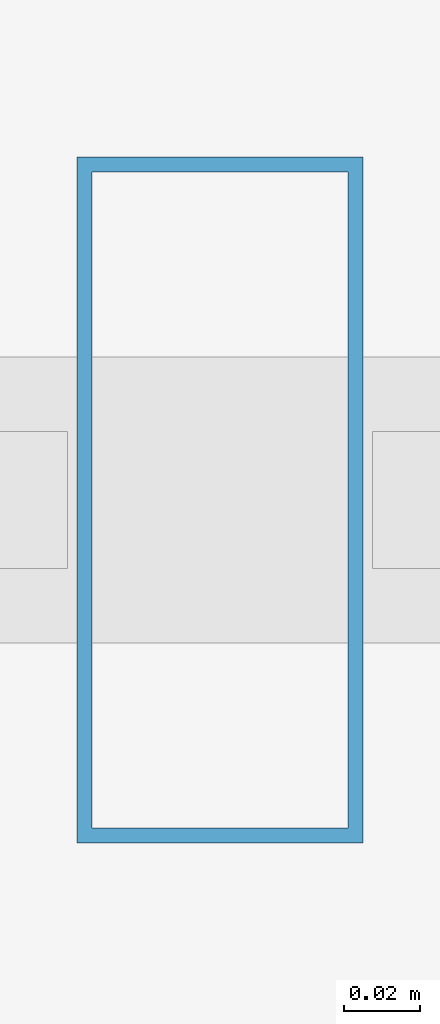
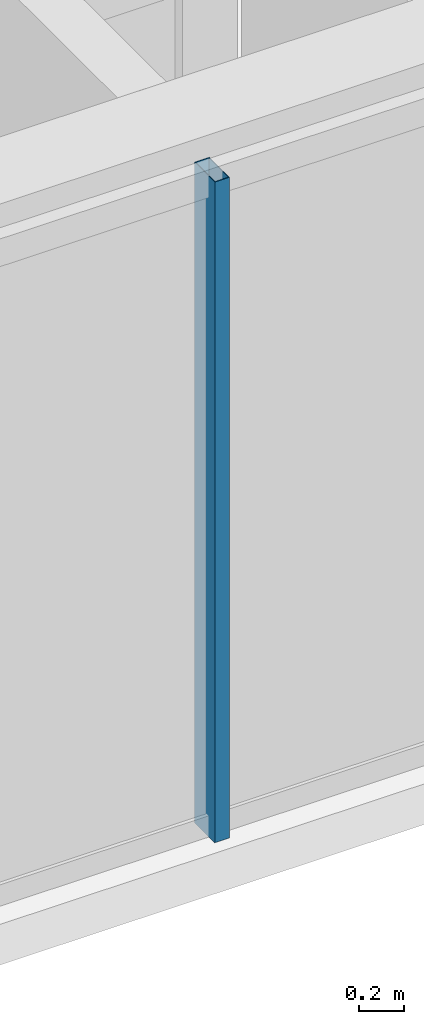
# One storey, part 3 of 32: 1 member, 1 element without a shape of its own.
"""IFC4 building model written with IfcOpenShell, lengths in metres."""

from ifc_helpers import new_model, si_unit, direction, frame, origin, origin_2d, place, context, subcontext, project, spatial, hollow_rectangle, extrude, material, layer, layer_set, material_profile, profile_set, type_object, element, aggregate, save


model = new_model("IFC4")

# Units and contexts
model_context = context("Model", 3, precision=1e-05, world=origin(), true_north=direction((0.0, 1.0)))
body_context = subcontext(model_context, "Body", "Model", "MODEL_VIEW")
ifc_project = project(units=[si_unit("LENGTHUNIT", "METRE"), si_unit("AREAUNIT", "SQUARE_METRE"), si_unit("VOLUMEUNIT", "CUBIC_METRE"), si_unit("PLANEANGLEUNIT", "RADIAN"), si_unit("MASSUNIT", "GRAM", prefix="KILO")], contexts=[model_context])

# Site, building, storey
site_placement = place(None, origin())
site = spatial("IfcSite", under=ifc_project, at=site_placement, CompositionType="ELEMENT")
building_placement = place(site_placement, origin())
building = spatial("IfcBuilding", under=site, at=building_placement, Name="Ndaravel Arena Tower", CompositionType="ELEMENT")
storey_placement = place(building_placement, frame((0.0, 0.0, 74.0)))
storey = spatial("IfcBuildingStorey", under=building, at=storey_placement, Name="L16", CompositionType="ELEMENT", Elevation=74.0)

# Curtain wall, member
ifc_material_1 = material(Name="Aluminium", Category="aluminium")
ifc_layer = layer(ifc_material_1, 0.179931640625)
ifc_layer_set = layer_set([ifc_layer], Name="Aluminium")
curtain_wall_type = type_object("IfcCurtainWallType", Name="CW-SYS-03", PredefinedType="NOTDEFINED", material=ifc_layer_set)
curtain_wall_placement = place(storey_placement, origin())
curtain_wall = element("IfcCurtainWall", 1, at=curtain_wall_placement, inside=storey, type_object=curtain_wall_type, Name="L16 Faceted Crystal Curtain Wall CW-L16-E01", PredefinedType="NOTDEFINED")
ifc_material_2 = material(Name="Aluminium", Category="aluminium")
ifc_material_profile = material_profile(ifc_material_2, hollow_rectangle(XDim=0.074951171875, YDim=0.179931640625, WallThickness=0.00390625, at=origin_2d()), Name="CW MULLION 75x180x4")
ifc_profile_set = profile_set([ifc_material_profile], Name="Aluminium")
member_type = type_object("IfcMemberType", Name="MEM-CW-MUL180", PredefinedType="MULLION", material=ifc_profile_set)
member_placement = place(storey_placement, frame((30.560791015625, 5.159912109375, 0.0), z_axis=(0.0, 0.0, 1.0), x_axis=(1.0, 0.0, 0.0)))
member = element("IfcMember", 2, at=member_placement, type_object=member_type, Name="CW-L16-E01 Mullion 01", PredefinedType="MULLION", context=body_context, shape_type="SweptSolid", body=[
    extrude(hollow_rectangle(XDim=0.074951171875, YDim=0.179931640625, WallThickness=0.00390625, at=origin_2d()), origin(), (0.0, 0.0, 1.0), 3.580078125),
])
aggregate(curtain_wall, [member])

save(model, "model.ifc")
